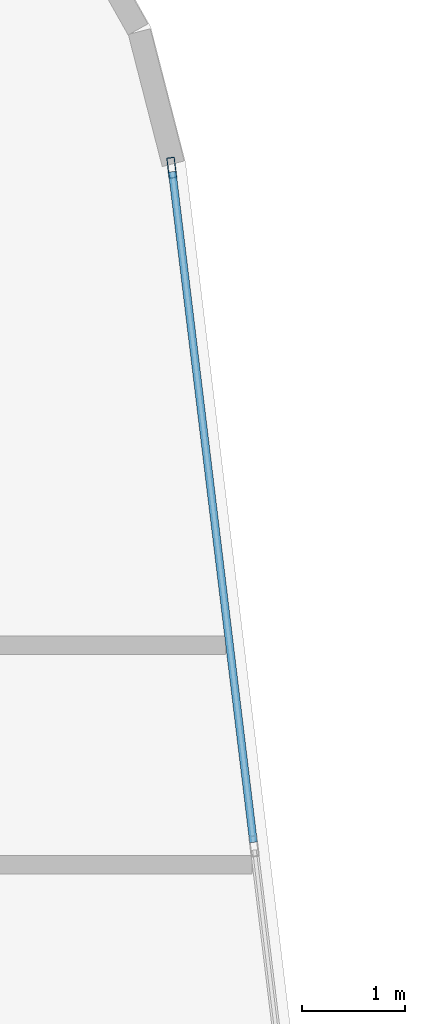
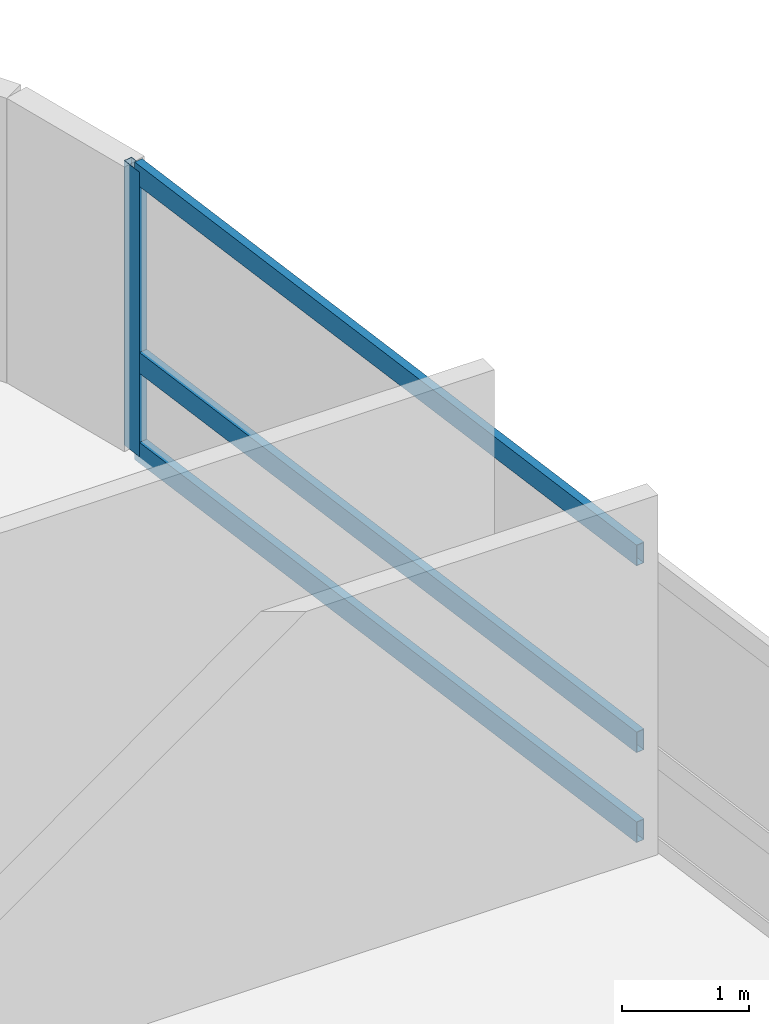
# One storey, part 12 of 23: 4 members, 1 element without a shape of its own.
"""IFC4 building model written with IfcOpenShell, lengths in metres."""

from ifc_helpers import new_model, si_unit, direction, frame, origin, origin_2d, place, context, subcontext, project, spatial, hollow_rectangle, extrude, material, layer, layer_set, material_profile, profile_set, type_object, element, aggregate, save


model = new_model("IFC4")

# Units and contexts
model_context = context("Model", 3, precision=1e-05, world=origin(), true_north=direction((0.0, 1.0)))
body_context = subcontext(model_context, "Body", "Model", "MODEL_VIEW")
ifc_project = project(units=[si_unit("LENGTHUNIT", "METRE"), si_unit("AREAUNIT", "SQUARE_METRE"), si_unit("VOLUMEUNIT", "CUBIC_METRE"), si_unit("PLANEANGLEUNIT", "RADIAN"), si_unit("MASSUNIT", "GRAM", prefix="KILO")], contexts=[model_context])

# Site, building, storey
site_placement = place(None, origin())
site = spatial("IfcSite", under=ifc_project, at=site_placement, CompositionType="ELEMENT")
building_placement = place(site_placement, origin())
building = spatial("IfcBuilding", under=site, at=building_placement, Name="Varnelok Gate Tower", CompositionType="ELEMENT")
storey_placement = place(building_placement, frame((0.0, 0.0, 170.89990234375)))
storey = spatial("IfcBuildingStorey", under=building, at=storey_placement, Name="L43", CompositionType="ELEMENT", Elevation=170.89990234375)

# Curtain wall, members
ifc_material = material(Name="Anodized Aluminum Alloy 6063-T6", Category="aluminium")
ifc_layer = layer(ifc_material, 0.179931640625)
ifc_layer_set = layer_set([ifc_layer], Name="Anodized Aluminum Alloy 6063-T6")
curtain_wall_type = type_object("IfcCurtainWallType", Name="CW4-RESIDENCE-VISION", PredefinedType="USERDEFINED", material=ifc_layer_set)
curtain_wall_placement = place(storey_placement, origin())
curtain_wall = element("IfcCurtainWall", 1, at=curtain_wall_placement, inside=storey, type_object=curtain_wall_type, Name="L43 East End Vision Curtain Wall", ObjectType="UNITISED CURTAIN WALL", PredefinedType="USERDEFINED")
ifc_material_profile_1 = material_profile(ifc_material, hollow_rectangle(XDim=0.074951171875, YDim=0.199951171875, WallThickness=0.00390625, at=origin_2d()), Name="ALU200X75X4")
ifc_profile_set_1 = profile_set([ifc_material_profile_1], Name="Anodized Aluminum Alloy 6063-T6")
member_type_1 = type_object("IfcMemberType", Name="CW-MULL-200", PredefinedType="MULLION", material=ifc_profile_set_1)
member_1_placement = place(storey_placement, frame((72.09912109375, 46.07275390625, 0.0), z_axis=(0.0, 0.0, 1.0), x_axis=(0.992732188751, 0.120344511371, 0.0)))
member_1 = element("IfcMember", 2, at=member_1_placement, type_object=member_type_1, Name="CW4 mullion 1", PredefinedType="MULLION", context=body_context, shape_type="SweptSolid", body=[
    extrude(hollow_rectangle(XDim=0.074951171875, YDim=0.199951171875, WallThickness=0.00390625, at=origin_2d()), origin(), (0.0, 0.0, 1.0), 2.72998046875),
])
ifc_material_profile_2 = material_profile(ifc_material, hollow_rectangle(XDim=0.074951171875, YDim=0.199951171875, WallThickness=0.00390625, at=origin_2d()), Name="ALU200X75X4")
ifc_profile_set_2 = profile_set([ifc_material_profile_2], Name="Anodized Aluminum Alloy 6063-T6")
member_type_2 = type_object("IfcMemberType", Name="CW-TRAN-200", PredefinedType="USERDEFINED", material=ifc_profile_set_2)
member_2_placement = place(storey_placement, frame((72.103759765625, 46.035400390625, 0.03759765625), z_axis=(0.120332477695, -0.992733647466, 0.0), x_axis=(0.992733647466, 0.120332477695, 0.0)))
member_2 = element("IfcMember", 3, at=member_2_placement, type_object=member_type_2, Name="CW4 transom 1.1", ObjectType="TRANSOM", PredefinedType="USERDEFINED", context=body_context, shape_type="SweptSolid", body=[
    extrude(hollow_rectangle(XDim=0.074951171875, YDim=0.199951171875, WallThickness=0.00390625, at=origin_2d()), origin(), (0.0, 0.0, 1.0), 6.5673828125),
])
member_3_placement = place(storey_placement, frame((72.103759765625, 46.035400390625, 0.900146484375), z_axis=(0.120332477695, -0.992733647466, 0.0), x_axis=(0.992733647466, 0.120332477695, 0.0)))
member_3 = element("IfcMember", 4, at=member_3_placement, type_object=member_type_2, Name="CW4 transom 1.2", ObjectType="TRANSOM", PredefinedType="USERDEFINED", context=body_context, shape_type="SweptSolid", body=[
    extrude(hollow_rectangle(XDim=0.074951171875, YDim=0.199951171875, WallThickness=0.00390625, at=origin_2d()), origin(), (0.0, 0.0, 1.0), 6.5673828125),
])
member_4_placement = place(storey_placement, frame((72.103759765625, 46.035400390625, 2.692626953125), z_axis=(0.120332477695, -0.992733647466, 0.0), x_axis=(0.992733647466, 0.120332477695, 0.0)))
member_4 = element("IfcMember", 5, at=member_4_placement, type_object=member_type_2, Name="CW4 transom 1.3", ObjectType="TRANSOM", PredefinedType="USERDEFINED", context=body_context, shape_type="SweptSolid", body=[
    extrude(hollow_rectangle(XDim=0.074951171875, YDim=0.199951171875, WallThickness=0.00390625, at=origin_2d()), origin(), (0.0, 0.0, 1.0), 6.5673828125),
])
aggregate(curtain_wall, [member_1, member_2, member_3, member_4])

save(model, "model.ifc")
